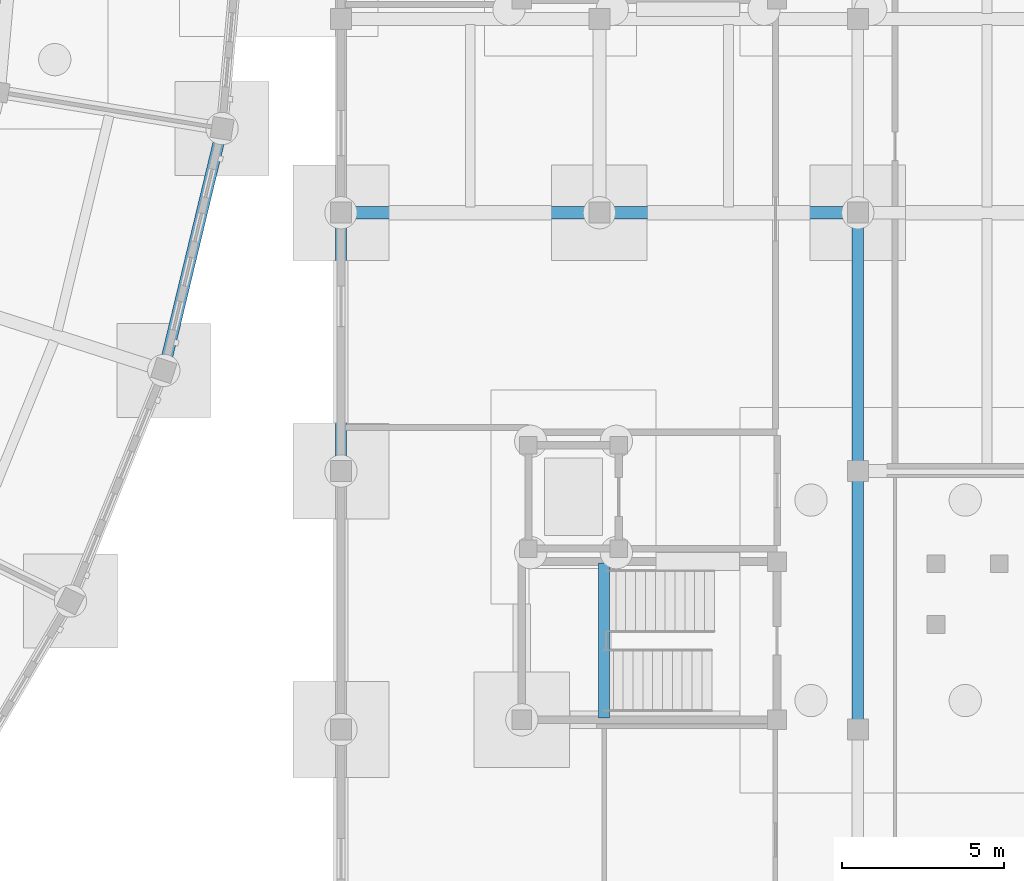
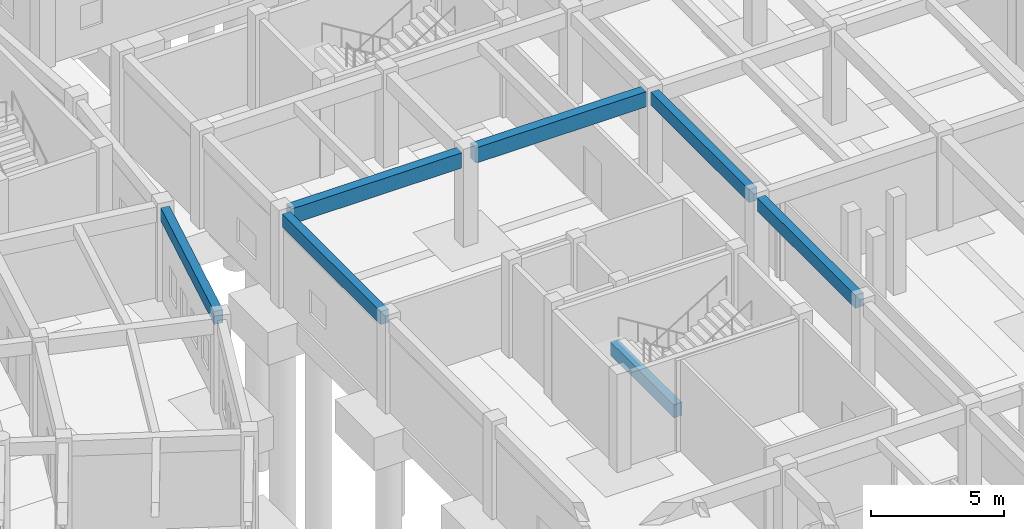
# One storey, part 86 of 153: 7 beams.
"""IFC4 building model written with IfcOpenShell, lengths in metres."""

from ifc_helpers import new_model, si_unit, direction, frame, origin, origin_2d, place, context, subcontext, project, spatial, rectangle, extrude, material, material_profile, profile_set, type_object, element, save


model = new_model("IFC4")

# Units and contexts
model_context = context("Model", 3, precision=1e-05, world=origin(), true_north=direction((0.0, 1.0)))
body_context = subcontext(model_context, "Body", "Model", "MODEL_VIEW")
ifc_project = project(units=[si_unit("LENGTHUNIT", "METRE"), si_unit("AREAUNIT", "SQUARE_METRE"), si_unit("VOLUMEUNIT", "CUBIC_METRE"), si_unit("PLANEANGLEUNIT", "RADIAN"), si_unit("MASSUNIT", "GRAM", prefix="KILO")], contexts=[model_context])

# Site, building, storey
site_placement = place(None, origin())
site = spatial("IfcSite", under=ifc_project, at=site_placement, CompositionType="ELEMENT")
building_placement = place(site_placement, origin())
building = spatial("IfcBuilding", under=site, at=building_placement, Name="Celadon Cloister-Ring School", CompositionType="ELEMENT")
storey_placement = place(building_placement, origin())
storey = spatial("IfcBuildingStorey", under=building, at=storey_placement, Name="L00", CompositionType="ELEMENT", Elevation=0.0)

# Beams
ifc_material_1 = material(Name="Concrete C35/45", Category="concrete")
ifc_material_profile_1 = material_profile(ifc_material_1, rectangle(XDim=0.35009765625, YDim=0.60009765625, at=origin_2d()), Name="RC350X600")
ifc_profile_set_1 = profile_set([ifc_material_profile_1], Name="Concrete C35/45")
beam_type_1 = type_object("IfcBeamType", Name="BT-02", PredefinedType="BEAM", material=ifc_profile_set_1)
for number, where, z_axis, x_axis, name in (
    (1, (142.0, 40.300048828125, 3.97998046875), (0.0, 1.0, 0.0), (-1.0, 0.0, 0.0), "Beam 1226"),
    (2, (158.0, 32.300048828125, 3.97998046875), (0.0, 1.0, 0.0), (-1.0, 0.0, 0.0), "Beam 1237"),
    (3, (158.0, 40.300048828125, 3.97998046875), (0.0, 1.0, 0.0), (-1.0, 0.0, 0.0), "Beam 1238"),
):
    element("IfcBeam", number, at=place(storey_placement, frame(where, z_axis=z_axis, x_axis=x_axis)), inside=storey, type_object=beam_type_1, Name=name, PredefinedType="BEAM", context=body_context, shape_type="SweptSolid", body=[
        extrude(rectangle(XDim=0.35009765625, YDim=0.60009765625, at=origin_2d()), origin(), (0.0, 0.0, 1.0), 7.39990234375),
    ])
beam_1_placement = place(storey_placement, frame((150.14501953125, 32.35009765625, 1.669921875), z_axis=(0.0, 1.0, 0.0), x_axis=(-1.0, 0.0, 0.0)))
element("IfcBeam", 4, at=beam_1_placement, inside=storey, type_object=beam_type_1, Name="Stair Landing Beam 1745", PredefinedType="BEAM", context=body_context, shape_type="SweptSolid", body=[
    extrude(rectangle(XDim=0.35009765625, YDim=0.60009765625, at=origin_2d()), origin(), (0.0, 0.0, 1.0), 4.7998046875),
])
ifc_material_2 = material(Name="Concrete C35/45", Category="concrete")
ifc_material_profile_2 = material_profile(ifc_material_2, rectangle(XDim=0.39990234375, YDim=0.699951171875, at=origin_2d()), Name="RC400X700")
ifc_profile_set_2 = profile_set([ifc_material_profile_2], Name="Concrete C35/45")
beam_type_2 = type_object("IfcBeamType", Name="GT-03", PredefinedType="USERDEFINED", material=ifc_profile_set_2)
for number, where, z_axis, x_axis, name in (
    (5, (142.300048828125, 48.0, 3.929931640625), (1.0, 0.0, 0.0), (0.0, 1.0, 0.0), "Beam 1206"),
    (6, (150.300048828125, 48.0, 3.929931640625), (1.0, 0.0, 0.0), (0.0, 1.0, 0.0), "Beam 1207"),
):
    element("IfcBeam", number, at=place(storey_placement, frame(where, z_axis=z_axis, x_axis=x_axis)), inside=storey, type_object=beam_type_2, Name=name, ObjectType="GIRDER", PredefinedType="USERDEFINED", context=body_context, shape_type="SweptSolid", body=[
        extrude(rectangle(XDim=0.39990234375, YDim=0.699951171875, at=origin_2d()), origin(), (0.0, 0.0, 1.0), 7.39990234375),
    ])
ifc_material_3 = material(Name="Concrete C35/45", Category="concrete")
ifc_material_profile_3 = material_profile(ifc_material_3, rectangle(XDim=0.35009765625, YDim=0.60009765625, at=origin_2d()), Name="RC350X600")
ifc_profile_set_3 = profile_set([ifc_material_profile_3], Name="Concrete C35/45")
beam_type_3 = type_object("IfcBeamType", Name="SP-01", PredefinedType="SPANDREL", material=ifc_profile_set_3)
beam_2_placement = place(storey_placement, frame((136.5849609375, 43.409912109375, 3.97998046875), z_axis=(0.234155521866, 0.972199152221, 0.0), x_axis=(-0.972199152221, 0.234155521866, 0.0)))
element("IfcBeam", 7, at=beam_2_placement, inside=storey, type_object=beam_type_3, Name="Beam 0165", PredefinedType="SPANDREL", context=body_context, shape_type="SweptSolid", body=[
    extrude(rectangle(XDim=0.35009765625, YDim=0.60009765625, at=origin_2d()), origin(), (0.0, 0.0, 1.0), 7.1025390625),
])

save(model, "model.ifc")
